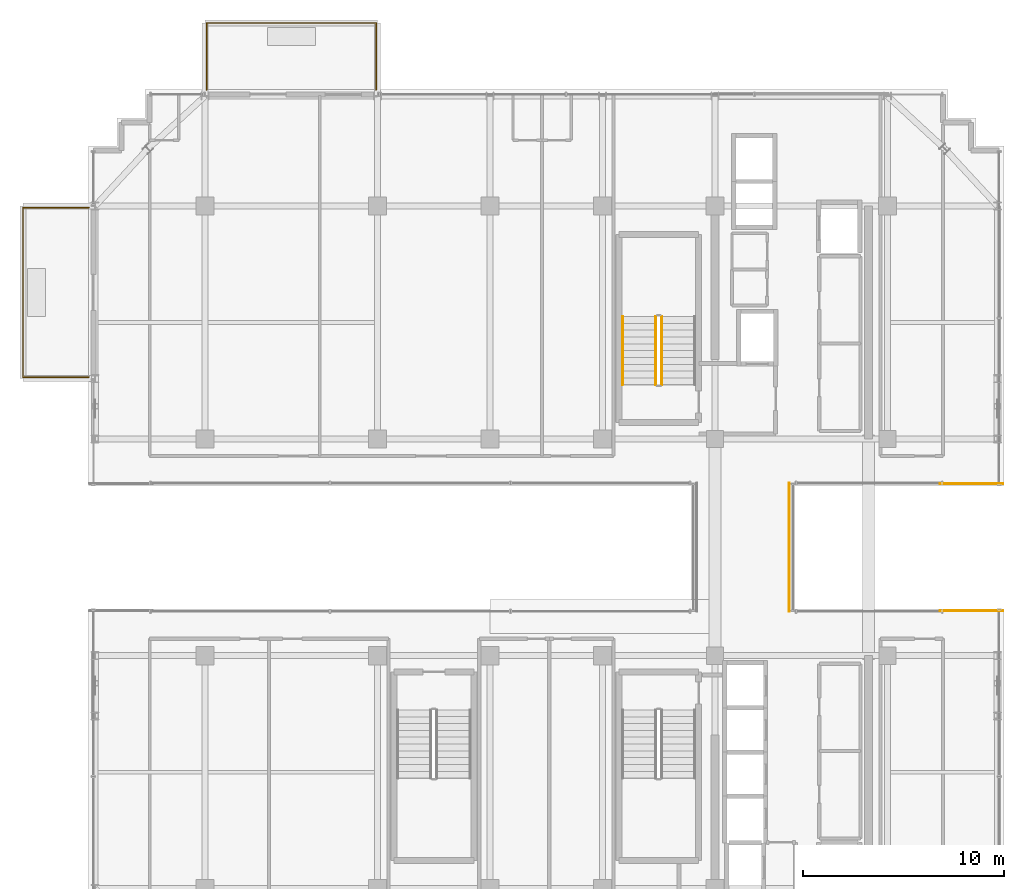
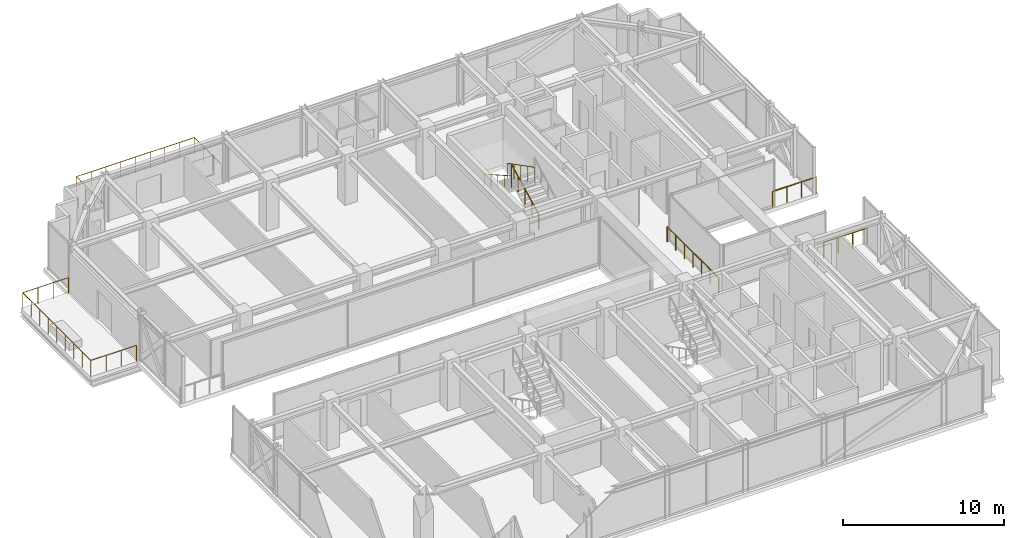
# One storey, part 38 of 40: 8 railings.
"""IFC4 building model written with IfcOpenShell, lengths in metres."""

from ifc_helpers import new_model, si_unit, direction, frame, origin, origin_2d, place, context, subcontext, project, spatial, circle, extrude, material, type_object, element, save


model = new_model("IFC4")

# Units and contexts
model_context = context("Model", 3, precision=1e-05, world=origin(), true_north=direction((0.0, 1.0)))
body_context = subcontext(model_context, "Body", "Model", "MODEL_VIEW")
ifc_project = project(units=[si_unit("LENGTHUNIT", "METRE"), si_unit("AREAUNIT", "SQUARE_METRE"), si_unit("VOLUMEUNIT", "CUBIC_METRE"), si_unit("PLANEANGLEUNIT", "RADIAN"), si_unit("MASSUNIT", "GRAM", prefix="KILO")], contexts=[model_context])

# Site, building, storey
site_placement = place(None, origin())
site = spatial("IfcSite", under=ifc_project, at=site_placement, CompositionType="ELEMENT")
building_placement = place(site_placement, origin())
building = spatial("IfcBuilding", under=site, at=building_placement, Name="Nahalor Promenade Grand Hotel", CompositionType="ELEMENT")
storey_placement = place(building_placement, frame((0.0, 0.0, 288.800048828125)))
storey = spatial("IfcBuildingStorey", under=building, at=storey_placement, Name="L74", CompositionType="ELEMENT", Elevation=288.800048828125)

# Railings
ifc_material_1 = material(Name="Anodised Bronze Aluminium EN AW-6063 T6", Category="aluminium")
railing_type_1 = type_object("IfcRailingType", Name="Bronze Balcony Guardrail 1200 mm", PredefinedType="GUARDRAIL", material=ifc_material_1)
for number, where, name in (
    (1, (19.6201171875, -3.1708984375, 0.0), "L74 Oculus Void Edge Guardrail ES"),
    (2, (19.6201171875, 3.1708984375, 0.0), "L74 Oculus Void Edge Guardrail EN"),
):
    element("IfcRailing", number, at=place(storey_placement, frame(where)), inside=storey, type_object=railing_type_1, Name=name, PredefinedType="GUARDRAIL", context=body_context, shape_type="SweptSolid", body=[
        extrude(circle(Radius=0.024048, at=origin_2d()), frame((0.0, 0.0, 1.17578125), z_axis=(1.0, 0.0, 0.0), x_axis=(0.0, 1.0, 0.0)), (0.0, 0.0, 1.0), 3.119873046875),
        extrude(circle(Radius=0.020996, at=origin_2d()), origin(), (0.0, 0.0, 1.0), 1.14990234375),
        extrude(circle(Radius=0.020996, at=origin_2d()), frame((1.0400390625, 0.0, 0.0)), (0.0, 0.0, 1.0), 1.14990234375),
        extrude(circle(Radius=0.020996, at=origin_2d()), frame((2.079833984375, 0.0, 0.0)), (0.0, 0.0, 1.0), 1.14990234375),
        extrude(circle(Radius=0.020996, at=origin_2d()), frame((3.119873046875, 0.0, 0.0)), (0.0, 0.0, 1.0), 1.14990234375),
    ])
railing_1_placement = place(storey_placement, frame((-16.919921875, 22.800048828125, 0.0)))
element("IfcRailing", 3, at=railing_1_placement, inside=storey, type_object=railing_type_1, Name="L74 Balcony Guardrail 1", PredefinedType="GUARDRAIL", context=body_context, shape_type="SweptSolid", body=[
    extrude(circle(Radius=0.024048, at=origin_2d()), frame((0.0, 0.0, 1.17578125), z_axis=(0.0, 1.0, 0.0), x_axis=(-1.0, 0.0, 0.0)), (0.0, 0.0, 1.0), 3.318115234375),
    extrude(circle(Radius=0.024048, at=origin_2d()), frame((0.001953125, 3.320068359375, 1.17578125), z_axis=(1.0, 0.0, 0.0), x_axis=(0.0, 1.0, 0.0)), (0.0, 0.0, 1.0), 8.43603515625),
    extrude(circle(Radius=0.024048, at=origin_2d()), frame((8.43994140625, 3.318115234375, 1.17578125), z_axis=(0.0, -1.0, 0.0), x_axis=(1.0, 0.0, 0.0)), (0.0, 0.0, 1.0), 3.318115234375),
    extrude(circle(Radius=0.020996, at=origin_2d()), origin(), (0.0, 0.0, 1.0), 1.14990234375),
    extrude(circle(Radius=0.020996, at=origin_2d()), frame((0.0, 1.106689453125, 0.0)), (0.0, 0.0, 1.0), 1.14990234375),
    extrude(circle(Radius=0.020996, at=origin_2d()), frame((0.0, 2.21337890625, 0.0)), (0.0, 0.0, 1.0), 1.14990234375),
    extrude(circle(Radius=0.020996, at=origin_2d()), frame((0.0, 3.320068359375, 0.0)), (0.0, 0.0, 1.0), 1.14990234375),
    extrude(circle(Radius=0.020996, at=origin_2d()), frame((1.054931640625, 3.320068359375, 0.0)), (0.0, 0.0, 1.0), 1.14990234375),
    extrude(circle(Radius=0.020996, at=origin_2d()), frame((2.10986328125, 3.320068359375, 0.0)), (0.0, 0.0, 1.0), 1.14990234375),
    extrude(circle(Radius=0.020996, at=origin_2d()), frame((3.1650390625, 3.320068359375, 0.0)), (0.0, 0.0, 1.0), 1.14990234375),
    extrude(circle(Radius=0.020996, at=origin_2d()), frame((4.219970703125, 3.320068359375, 0.0)), (0.0, 0.0, 1.0), 1.14990234375),
    extrude(circle(Radius=0.020996, at=origin_2d()), frame((5.27490234375, 3.320068359375, 0.0)), (0.0, 0.0, 1.0), 1.14990234375),
    extrude(circle(Radius=0.020996, at=origin_2d()), frame((6.330078125, 3.320068359375, 0.0)), (0.0, 0.0, 1.0), 1.14990234375),
    extrude(circle(Radius=0.020996, at=origin_2d()), frame((7.385009765625, 3.320068359375, 0.0)), (0.0, 0.0, 1.0), 1.14990234375),
    extrude(circle(Radius=0.020996, at=origin_2d()), frame((8.43994140625, 3.320068359375, 0.0)), (0.0, 0.0, 1.0), 1.14990234375),
    extrude(circle(Radius=0.020996, at=origin_2d()), frame((8.43994140625, 2.21337890625, 0.0)), (0.0, 0.0, 1.0), 1.14990234375),
    extrude(circle(Radius=0.020996, at=origin_2d()), frame((8.43994140625, 1.106689453125, 0.0)), (0.0, 0.0, 1.0), 1.14990234375),
    extrude(circle(Radius=0.020996, at=origin_2d()), frame((8.43994140625, 0.0, 0.0)), (0.0, 0.0, 1.0), 1.14990234375),
])
railing_2_placement = place(storey_placement, frame((-22.800048828125, 8.47998046875, 0.0)))
element("IfcRailing", 4, at=railing_2_placement, inside=storey, type_object=railing_type_1, Name="L74 Balcony Guardrail 2", PredefinedType="GUARDRAIL", context=body_context, shape_type="SweptSolid", body=[
    extrude(circle(Radius=0.024048, at=origin_2d()), frame((0.0, 0.0, 1.17578125), z_axis=(-1.0, 0.0, 0.0), x_axis=(0.0, -1.0, 0.0)), (0.0, 0.0, 1.0), 3.26806640625),
    extrude(circle(Radius=0.024048, at=origin_2d()), frame((-3.27001953125, 0.001953125, 1.17578125), z_axis=(0.0, 1.0, 0.0), x_axis=(-1.0, 0.0, 0.0)), (0.0, 0.0, 1.0), 8.43603515625),
    extrude(circle(Radius=0.024048, at=origin_2d()), frame((-3.26806640625, 8.43994140625, 1.17578125), z_axis=(1.0, 0.0, 0.0), x_axis=(0.0, 1.0, 0.0)), (0.0, 0.0, 1.0), 3.26806640625),
    extrude(circle(Radius=0.020996, at=origin_2d()), origin(), (0.0, 0.0, 1.0), 1.14990234375),
    extrude(circle(Radius=0.020996, at=origin_2d()), frame((-1.090087890625, 0.0, 0.0)), (0.0, 0.0, 1.0), 1.14990234375),
    extrude(circle(Radius=0.020996, at=origin_2d()), frame((-2.179931640625, 0.0, 0.0)), (0.0, 0.0, 1.0), 1.14990234375),
    extrude(circle(Radius=0.020996, at=origin_2d()), frame((-3.27001953125, 0.0, 0.0)), (0.0, 0.0, 1.0), 1.14990234375),
    extrude(circle(Radius=0.020996, at=origin_2d()), frame((-3.27001953125, 1.054931640625, 0.0)), (0.0, 0.0, 1.0), 1.14990234375),
    extrude(circle(Radius=0.020996, at=origin_2d()), frame((-3.27001953125, 2.10986328125, 0.0)), (0.0, 0.0, 1.0), 1.14990234375),
    extrude(circle(Radius=0.020996, at=origin_2d()), frame((-3.27001953125, 3.1650390625, 0.0)), (0.0, 0.0, 1.0), 1.14990234375),
    extrude(circle(Radius=0.020996, at=origin_2d()), frame((-3.27001953125, 4.219970703125, 0.0)), (0.0, 0.0, 1.0), 1.14990234375),
    extrude(circle(Radius=0.020996, at=origin_2d()), frame((-3.27001953125, 5.27490234375, 0.0)), (0.0, 0.0, 1.0), 1.14990234375),
    extrude(circle(Radius=0.020996, at=origin_2d()), frame((-3.27001953125, 6.330078125, 0.0)), (0.0, 0.0, 1.0), 1.14990234375),
    extrude(circle(Radius=0.020996, at=origin_2d()), frame((-3.27001953125, 7.385009765625, 0.0)), (0.0, 0.0, 1.0), 1.14990234375),
    extrude(circle(Radius=0.020996, at=origin_2d()), frame((-3.27001953125, 8.43994140625, 0.0)), (0.0, 0.0, 1.0), 1.14990234375),
    extrude(circle(Radius=0.020996, at=origin_2d()), frame((-2.179931640625, 8.43994140625, 0.0)), (0.0, 0.0, 1.0), 1.14990234375),
    extrude(circle(Radius=0.020996, at=origin_2d()), frame((-1.090087890625, 8.43994140625, 0.0)), (0.0, 0.0, 1.0), 1.14990234375),
    extrude(circle(Radius=0.020996, at=origin_2d()), frame((0.0, 8.43994140625, 0.0)), (0.0, 0.0, 1.0), 1.14990234375),
])
railing_type_2 = type_object("IfcRailingType", Name="Bronze Sky Balustrade 1150 mm", PredefinedType="BALUSTRADE", material=ifc_material_1)
railing_3_placement = place(storey_placement, frame((12.10009765625, -3.19091796875, 0.0)))
element("IfcRailing", 5, at=railing_3_placement, inside=storey, type_object=railing_type_2, Name="BL-L74-BRG-E", PredefinedType="BALUSTRADE", context=body_context, shape_type="SweptSolid", body=[
    extrude(circle(Radius=0.024048, at=origin_2d()), frame((0.0, 0.0, 1.1259765625), z_axis=(0.0, 1.0, 0.0), x_axis=(-1.0, 0.0, 0.0)), (0.0, 0.0, 1.0), 6.3818359375),
    extrude(circle(Radius=0.020996, at=origin_2d()), origin(), (0.0, 0.0, 1.0), 1.099853515625),
    extrude(circle(Radius=0.020996, at=origin_2d()), frame((0.0, 1.063720703125, 0.0)), (0.0, 0.0, 1.0), 1.099853515625),
    extrude(circle(Radius=0.020996, at=origin_2d()), frame((0.0, 2.127197265625, 0.0)), (0.0, 0.0, 1.0), 1.099853515625),
    extrude(circle(Radius=0.020996, at=origin_2d()), frame((0.0, 3.19091796875, 0.0)), (0.0, 0.0, 1.0), 1.099853515625),
    extrude(circle(Radius=0.020996, at=origin_2d()), frame((0.0, 4.254638671875, 0.0)), (0.0, 0.0, 1.0), 1.099853515625),
    extrude(circle(Radius=0.020996, at=origin_2d()), frame((0.0, 5.318115234375, 0.0)), (0.0, 0.0, 1.0), 1.099853515625),
    extrude(circle(Radius=0.020996, at=origin_2d()), frame((0.0, 6.3818359375, 0.0)), (0.0, 0.0, 1.0), 1.099853515625),
])
ifc_material_2 = material(Name="Steel S355JR", Category="steel")
railing_type_3 = type_object("IfcRailingType", Name="Steel Stair Guardrail 1150 mm", PredefinedType="GUARDRAIL", material=ifc_material_2)
railing_4_placement = place(storey_placement, frame((5.75, 8.10009765625, 0.175048828125)))
element("IfcRailing", 6, at=railing_4_placement, inside=storey, type_object=railing_type_3, Name="L74 ST1 stair guard 1", PredefinedType="GUARDRAIL", context=body_context, shape_type="SweptSolid", body=[
    extrude(circle(Radius=0.024048, at=origin_2d()), frame((0.0, 0.0, 1.1259765625), z_axis=(0.0, 0.889130461562, 0.457653823673), x_axis=(-1.0, 0.0, 0.0)), (0.0, 0.0, 1.0), 3.82373046875),
    extrude(circle(Radius=0.020996, at=origin_2d()), origin(), (0.0, 0.0, 1.0), 1.099853515625),
    extrude(circle(Radius=0.020996, at=origin_2d()), frame((0.0, 0.85009765625, 0.4375)), (0.0, 0.0, 1.0), 1.099853515625),
    extrude(circle(Radius=0.020996, at=origin_2d()), frame((0.0, 1.699951171875, 0.875)), (0.0, 0.0, 1.0), 1.099853515625),
    extrude(circle(Radius=0.020996, at=origin_2d()), frame((0.0, 2.5498046875, 1.3125)), (0.0, 0.0, 1.0), 1.099853515625),
    extrude(circle(Radius=0.020996, at=origin_2d()), frame((0.0, 3.39990234375, 1.75)), (0.0, 0.0, 1.0), 1.099853515625),
])
railing_5_placement = place(storey_placement, frame((5.449951171875, 11.5, 2.099853515625)))
element("IfcRailing", 7, at=railing_5_placement, inside=storey, type_object=railing_type_3, Name="L74 ST1 stair guard 3", PredefinedType="GUARDRAIL", context=body_context, shape_type="SweptSolid", body=[
    extrude(circle(Radius=0.024048, at=origin_2d()), frame((0.0, 0.0, 1.1259765625), z_axis=(0.0, -0.889130461562, 0.457653823673), x_axis=(1.0, 0.0, 0.0)), (0.0, 0.0, 1.0), 3.82373046875),
    extrude(circle(Radius=0.020996, at=origin_2d()), origin(), (0.0, 0.0, 1.0), 1.099853515625),
    extrude(circle(Radius=0.020996, at=origin_2d()), frame((0.0, -0.85009765625, 0.4375)), (0.0, 0.0, 1.0), 1.099853515625),
    extrude(circle(Radius=0.020996, at=origin_2d()), frame((0.0, -1.699951171875, 0.875)), (0.0, 0.0, 1.0), 1.099853515625),
    extrude(circle(Radius=0.020996, at=origin_2d()), frame((0.0, -2.5498046875, 1.3125)), (0.0, 0.0, 1.0), 1.099853515625),
    extrude(circle(Radius=0.020996, at=origin_2d()), frame((0.0, -3.39990234375, 1.75)), (0.0, 0.0, 1.0), 1.099853515625),
])
railing_type_4 = type_object("IfcRailingType", Name="Steel Stair Handrail 900 mm", PredefinedType="HANDRAIL", material=ifc_material_2)
railing_6_placement = place(storey_placement, frame((3.800048828125, 11.5, 2.099853515625)))
element("IfcRailing", 8, at=railing_6_placement, inside=storey, type_object=railing_type_4, Name="L74 ST1 stair handrail 2", PredefinedType="HANDRAIL", context=body_context, shape_type="SweptSolid", body=[
    extrude(circle(Radius=0.024048, at=origin_2d()), frame((0.0, 0.0, 0.8759765625), z_axis=(0.0, -0.870193670192, 0.492709829776), x_axis=(1.0, 0.0, 0.0)), (0.0, 0.0, 1.0), 3.906982421875),
    extrude(circle(Radius=0.020996, at=origin_2d()), origin(), (0.0, 0.0, 1.0), 0.849853515625),
    extrude(circle(Radius=0.020996, at=origin_2d()), frame((0.0, -0.85009765625, 0.481201171875)), (0.0, 0.0, 1.0), 0.849853515625),
    extrude(circle(Radius=0.020996, at=origin_2d()), frame((0.0, -1.699951171875, 0.96240234375)), (0.0, 0.0, 1.0), 0.849853515625),
    extrude(circle(Radius=0.020996, at=origin_2d()), frame((0.0, -2.5498046875, 1.44384765625)), (0.0, 0.0, 1.0), 0.849853515625),
    extrude(circle(Radius=0.020996, at=origin_2d()), frame((0.0, -3.39990234375, 1.925048828125)), (0.0, 0.0, 1.0), 0.849853515625),
])

save(model, "model.ifc")
